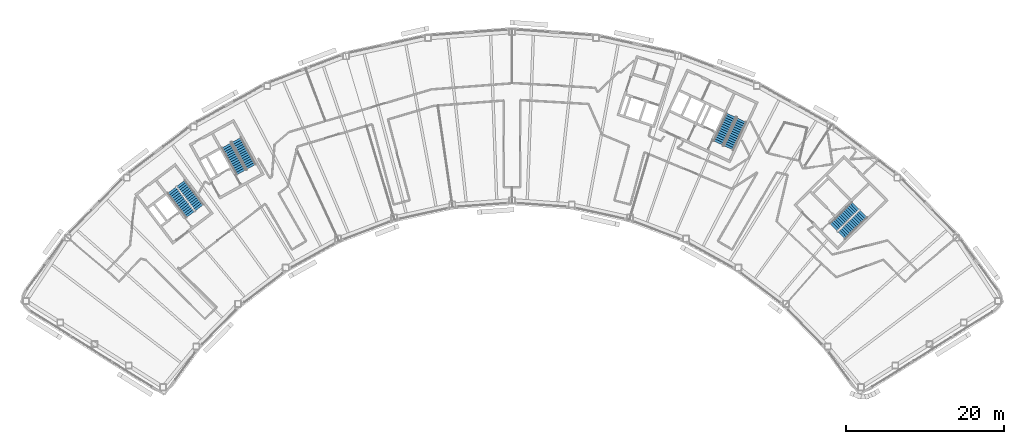
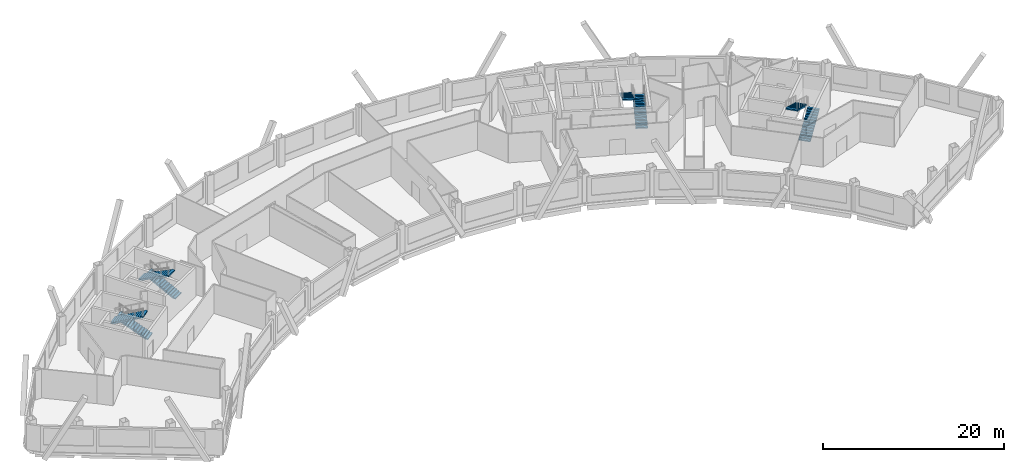
# One storey, part 11 of 13: 8 stair flights, 4 elements without a shape of their own.
"""IFC4 building model written with IfcOpenShell, lengths in metres."""

from ifc_helpers import new_model, si_unit, direction, frame, origin, place, context, subcontext, project, spatial, polyline, outline, extrude, material, type_object, element, aggregate, save


model = new_model("IFC4")

# Units and contexts
model_context = context("Model", 3, precision=1e-05, world=origin(), true_north=direction((0.0, 1.0)))
body_context = subcontext(model_context, "Body", "Model", "MODEL_VIEW")
ifc_project = project(units=[si_unit("LENGTHUNIT", "METRE"), si_unit("AREAUNIT", "SQUARE_METRE"), si_unit("VOLUMEUNIT", "CUBIC_METRE"), si_unit("PLANEANGLEUNIT", "RADIAN"), si_unit("MASSUNIT", "GRAM", prefix="KILO")], contexts=[model_context])

# Site, building, storey
site_placement = place(None, origin())
site = spatial("IfcSite", under=ifc_project, at=site_placement, CompositionType="ELEMENT")
building_placement = place(site_placement, origin())
building = spatial("IfcBuilding", under=site, at=building_placement, Name="Tuul Gate Civic Tower", CompositionType="ELEMENT")
storey_placement = place(building_placement, frame((0.0, 0.0, 302.60009765625)))
storey = spatial("IfcBuildingStorey", under=building, at=storey_placement, Name="Level 68", CompositionType="ELEMENT", Elevation=302.60009765625)

# Stair, stair flights
ifc_material_1 = material(Name="Concrete C40/50", Category="concrete")
stair_type = type_object("IfcStairType", Name="Exit stair", PredefinedType="HALF_TURN_STAIR", material=ifc_material_1)
stair_1_placement = place(storey_placement, origin())
stair_1 = element("IfcStair", 1, at=stair_1_placement, inside=storey, type_object=stair_type, Name="Level 68 ST-1", PredefinedType="HALF_TURN_STAIR")
ifc_material_2 = material(Name="Concrete C40/50", Category="concrete")
stair_flight_type = type_object("IfcStairFlightType", Name="Exit stair flight", PredefinedType="STRAIGHT", material=ifc_material_2)
stair_flight_1_placement = place(storey_placement, frame((-32.875244140625, -13.066650390625, 0.0), z_axis=(0.0, 0.0, 1.0), x_axis=(-0.605764474941, 0.795644016442, 0.0)))
stair_flight_1 = element("IfcStairFlight", 2, at=stair_flight_1_placement, type_object=stair_flight_type, Name="ST-1 flight 1", NumberOfRisers=14, NumberOfTreads=13, PredefinedType="STRAIGHT", RiserHeight=0.15, TreadLength=0.3, context=body_context, shape_type="SweptSolid", body=[
    extrude(outline(polyline([(0.0, 0.0), (0.0, 0.14990234375), (0.300048828125, 0.14990234375), (0.300048828125, 0.300048828125), (0.60009765625, 0.300048828125), (0.60009765625, 0.449951171875), (0.89990234375, 0.449951171875), (0.89990234375, 0.60009765625), (1.199951171875, 0.60009765625), (1.199951171875, 0.75), (1.5, 0.75), (1.5, 0.89990234375), (1.800048828125, 0.89990234375), (1.800048828125, 1.050048828125), (2.10009765625, 1.050048828125), (2.10009765625, 1.199951171875), (2.39990234375, 1.199951171875), (2.39990234375, 1.35009765625), (2.699951171875, 1.35009765625), (2.699951171875, 1.5), (3.0, 1.5), (3.0, 1.64990234375), (3.300048828125, 1.64990234375), (3.300048828125, 1.800048828125), (3.60009765625, 1.800048828125), (3.60009765625, 1.949951171875), (3.89990234375, 1.949951171875), (3.89990234375, 2.10009765625), (3.89990234375, 1.782470703125), (0.335205078125, 0.0), (0.0, 0.0)])), frame((0.0, 0.675048828125, 0.0), z_axis=(0.0, -1.0, 0.0), x_axis=(1.0, 0.0, 0.0)), (0.0, 0.0, 1.0), 1.35009765625),
])
stair_flight_2_placement = place(storey_placement, frame((-36.391357421875, -10.842041015625, 2.099853515625), z_axis=(0.0, 0.0, 1.0), x_axis=(0.605764474941, -0.795644016442, 0.0)))
stair_flight_2 = element("IfcStairFlight", 3, at=stair_flight_2_placement, type_object=stair_flight_type, Name="ST-1 flight 2", NumberOfRisers=14, NumberOfTreads=13, PredefinedType="STRAIGHT", RiserHeight=0.15, TreadLength=0.3, context=body_context, shape_type="SweptSolid", body=[
    extrude(outline(polyline([(0.0, 0.0), (0.0, 0.14990234375), (0.300048828125, 0.14990234375), (0.300048828125, 0.300048828125), (0.60009765625, 0.300048828125), (0.60009765625, 0.449951171875), (0.89990234375, 0.449951171875), (0.89990234375, 0.60009765625), (1.199951171875, 0.60009765625), (1.199951171875, 0.75), (1.5, 0.75), (1.5, 0.89990234375), (1.800048828125, 0.89990234375), (1.800048828125, 1.050048828125), (2.10009765625, 1.050048828125), (2.10009765625, 1.199951171875), (2.39990234375, 1.199951171875), (2.39990234375, 1.35009765625), (2.699951171875, 1.35009765625), (2.699951171875, 1.5), (3.0, 1.5), (3.0, 1.64990234375), (3.300048828125, 1.64990234375), (3.300048828125, 1.800048828125), (3.60009765625, 1.800048828125), (3.60009765625, 1.949951171875), (3.89990234375, 1.949951171875), (3.89990234375, 2.10009765625), (3.89990234375, 1.782470703125), (0.335205078125, 0.0), (0.0, 0.0)])), frame((0.0, 0.675048828125, 0.0), z_axis=(0.0, -1.0, 0.0), x_axis=(1.0, 0.0, 0.0)), (0.0, 0.0, 1.0), 1.35009765625),
])
aggregate(stair_1, [stair_flight_1, stair_flight_2])

stair_2_placement = place(storey_placement, origin())
stair_2 = element("IfcStair", 4, at=stair_2_placement, inside=storey, type_object=stair_type, Name="Level 68 ST-2", PredefinedType="HALF_TURN_STAIR")
stair_flight_3_placement = place(storey_placement, frame((-26.29150390625, -7.87646484375, 0.0), z_axis=(0.0, 0.0, 1.0), x_axis=(-0.484761763766, 0.874646232708, 0.0)))
stair_flight_3 = element("IfcStairFlight", 5, at=stair_flight_3_placement, type_object=stair_flight_type, Name="ST-2 flight 1", NumberOfRisers=14, NumberOfTreads=13, PredefinedType="STRAIGHT", RiserHeight=0.15, TreadLength=0.3, context=body_context, shape_type="SweptSolid", body=[
    extrude(outline(polyline([(0.0, 0.0), (0.0, 0.14990234375), (0.300048828125, 0.14990234375), (0.300048828125, 0.300048828125), (0.60009765625, 0.300048828125), (0.60009765625, 0.449951171875), (0.89990234375, 0.449951171875), (0.89990234375, 0.60009765625), (1.199951171875, 0.60009765625), (1.199951171875, 0.75), (1.5, 0.75), (1.5, 0.89990234375), (1.800048828125, 0.89990234375), (1.800048828125, 1.050048828125), (2.10009765625, 1.050048828125), (2.10009765625, 1.199951171875), (2.39990234375, 1.199951171875), (2.39990234375, 1.35009765625), (2.699951171875, 1.35009765625), (2.699951171875, 1.5), (3.0, 1.5), (3.0, 1.64990234375), (3.300048828125, 1.64990234375), (3.300048828125, 1.800048828125), (3.60009765625, 1.800048828125), (3.60009765625, 1.949951171875), (3.89990234375, 1.949951171875), (3.89990234375, 2.10009765625), (3.89990234375, 1.782470703125), (0.335205078125, 0.0), (0.0, 0.0)])), frame((0.0, 0.675048828125, 0.0), z_axis=(0.0, -1.0, 0.0), x_axis=(1.0, 0.0, 0.0)), (0.0, 0.0, 1.0), 1.35009765625),
])
stair_flight_4_placement = place(storey_placement, frame((-29.450439453125, -5.168212890625, 2.099853515625), z_axis=(0.0, 0.0, 1.0), x_axis=(0.484761763766, -0.874646232708, 0.0)))
stair_flight_4 = element("IfcStairFlight", 6, at=stair_flight_4_placement, type_object=stair_flight_type, Name="ST-2 flight 2", NumberOfRisers=14, NumberOfTreads=13, PredefinedType="STRAIGHT", RiserHeight=0.15, TreadLength=0.3, context=body_context, shape_type="SweptSolid", body=[
    extrude(outline(polyline([(0.0, 0.0), (0.0, 0.14990234375), (0.300048828125, 0.14990234375), (0.300048828125, 0.300048828125), (0.60009765625, 0.300048828125), (0.60009765625, 0.449951171875), (0.89990234375, 0.449951171875), (0.89990234375, 0.60009765625), (1.199951171875, 0.60009765625), (1.199951171875, 0.75), (1.5, 0.75), (1.5, 0.89990234375), (1.800048828125, 0.89990234375), (1.800048828125, 1.050048828125), (2.10009765625, 1.050048828125), (2.10009765625, 1.199951171875), (2.39990234375, 1.199951171875), (2.39990234375, 1.35009765625), (2.699951171875, 1.35009765625), (2.699951171875, 1.5), (3.0, 1.5), (3.0, 1.64990234375), (3.300048828125, 1.64990234375), (3.300048828125, 1.800048828125), (3.60009765625, 1.800048828125), (3.60009765625, 1.949951171875), (3.89990234375, 1.949951171875), (3.89990234375, 2.10009765625), (3.89990234375, 1.782470703125), (0.335205078125, 0.0), (0.0, 0.0)])), frame((0.0, 0.675048828125, 0.0), z_axis=(0.0, -1.0, 0.0), x_axis=(1.0, 0.0, 0.0)), (0.0, 0.0, 1.0), 1.35009765625),
])
aggregate(stair_2, [stair_flight_3, stair_flight_4])

stair_3_placement = place(storey_placement, origin())
stair_3 = element("IfcStair", 7, at=stair_3_placement, inside=storey, type_object=stair_type, Name="Level 68 ST-3", PredefinedType="HALF_TURN_STAIR")
stair_flight_5_placement = place(storey_placement, frame((48.61376953125, -16.581787109375, 0.0), z_axis=(0.0, 0.0, 1.0), x_axis=(0.714127290059, 0.700015866672, 0.0)))
stair_flight_5 = element("IfcStairFlight", 8, at=stair_flight_5_placement, type_object=stair_flight_type, Name="ST-3 flight 1", NumberOfRisers=14, NumberOfTreads=13, PredefinedType="STRAIGHT", RiserHeight=0.15, TreadLength=0.3, context=body_context, shape_type="SweptSolid", body=[
    extrude(outline(polyline([(0.0, 0.0), (0.0, 0.14990234375), (0.300048828125, 0.14990234375), (0.300048828125, 0.300048828125), (0.60009765625, 0.300048828125), (0.60009765625, 0.449951171875), (0.89990234375, 0.449951171875), (0.89990234375, 0.60009765625), (1.199951171875, 0.60009765625), (1.199951171875, 0.75), (1.5, 0.75), (1.5, 0.89990234375), (1.800048828125, 0.89990234375), (1.800048828125, 1.050048828125), (2.10009765625, 1.050048828125), (2.10009765625, 1.199951171875), (2.39990234375, 1.199951171875), (2.39990234375, 1.35009765625), (2.699951171875, 1.35009765625), (2.699951171875, 1.5), (3.0, 1.5), (3.0, 1.64990234375), (3.300048828125, 1.64990234375), (3.300048828125, 1.800048828125), (3.60009765625, 1.800048828125), (3.60009765625, 1.949951171875), (3.89990234375, 1.949951171875), (3.89990234375, 2.10009765625), (3.89990234375, 1.782470703125), (0.335205078125, 0.0), (0.0, 0.0)])), frame((0.0, 0.675048828125, 0.0), z_axis=(0.0, -1.0, 0.0), x_axis=(1.0, 0.0, 0.0)), (0.0, 0.0, 1.0), 1.35009765625),
])
stair_flight_6_placement = place(storey_placement, frame((50.3837890625, -12.816162109375, 2.099853515625), z_axis=(0.0, 0.0, 1.0), x_axis=(-0.714127290059, -0.700015866672, 0.0)))
stair_flight_6 = element("IfcStairFlight", 9, at=stair_flight_6_placement, type_object=stair_flight_type, Name="ST-3 flight 2", NumberOfRisers=14, NumberOfTreads=13, PredefinedType="STRAIGHT", RiserHeight=0.15, TreadLength=0.3, context=body_context, shape_type="SweptSolid", body=[
    extrude(outline(polyline([(0.0, 0.0), (0.0, 0.14990234375), (0.300048828125, 0.14990234375), (0.300048828125, 0.300048828125), (0.60009765625, 0.300048828125), (0.60009765625, 0.449951171875), (0.89990234375, 0.449951171875), (0.89990234375, 0.60009765625), (1.199951171875, 0.60009765625), (1.199951171875, 0.75), (1.5, 0.75), (1.5, 0.89990234375), (1.800048828125, 0.89990234375), (1.800048828125, 1.050048828125), (2.10009765625, 1.050048828125), (2.10009765625, 1.199951171875), (2.39990234375, 1.199951171875), (2.39990234375, 1.35009765625), (2.699951171875, 1.35009765625), (2.699951171875, 1.5), (3.0, 1.5), (3.0, 1.64990234375), (3.300048828125, 1.64990234375), (3.300048828125, 1.800048828125), (3.60009765625, 1.800048828125), (3.60009765625, 1.949951171875), (3.89990234375, 1.949951171875), (3.89990234375, 2.10009765625), (3.89990234375, 1.782470703125), (0.335205078125, 0.0), (0.0, 0.0)])), frame((0.0, 0.675048828125, 0.0), z_axis=(0.0, -1.0, 0.0), x_axis=(1.0, 0.0, 0.0)), (0.0, 0.0, 1.0), 1.35009765625),
])
aggregate(stair_3, [stair_flight_5, stair_flight_6])

stair_4_placement = place(storey_placement, origin())
stair_4 = element("IfcStair", 10, at=stair_4_placement, inside=storey, type_object=stair_type, Name="Level 68 ST-4", PredefinedType="HALF_TURN_STAIR")
stair_flight_7_placement = place(storey_placement, frame((34.278564453125, -5.478515625, 0.0), z_axis=(0.0, 0.0, 1.0), x_axis=(0.422576295988, 0.906327354806, 0.0)))
stair_flight_7 = element("IfcStairFlight", 11, at=stair_flight_7_placement, type_object=stair_flight_type, Name="ST-4 flight 1", NumberOfRisers=14, NumberOfTreads=13, PredefinedType="STRAIGHT", RiserHeight=0.15, TreadLength=0.3, context=body_context, shape_type="SweptSolid", body=[
    extrude(outline(polyline([(0.0, 0.0), (0.0, 0.14990234375), (0.300048828125, 0.14990234375), (0.300048828125, 0.300048828125), (0.60009765625, 0.300048828125), (0.60009765625, 0.449951171875), (0.89990234375, 0.449951171875), (0.89990234375, 0.60009765625), (1.199951171875, 0.60009765625), (1.199951171875, 0.75), (1.5, 0.75), (1.5, 0.89990234375), (1.800048828125, 0.89990234375), (1.800048828125, 1.050048828125), (2.10009765625, 1.050048828125), (2.10009765625, 1.199951171875), (2.39990234375, 1.199951171875), (2.39990234375, 1.35009765625), (2.699951171875, 1.35009765625), (2.699951171875, 1.5), (3.0, 1.5), (3.0, 1.64990234375), (3.300048828125, 1.64990234375), (3.300048828125, 1.800048828125), (3.60009765625, 1.800048828125), (3.60009765625, 1.949951171875), (3.89990234375, 1.949951171875), (3.89990234375, 2.10009765625), (3.89990234375, 1.782470703125), (0.335205078125, 0.0), (0.0, 0.0)])), frame((0.0, 0.675048828125, 0.0), z_axis=(0.0, -1.0, 0.0), x_axis=(1.0, 0.0, 0.0)), (0.0, 0.0, 1.0), 1.35009765625),
])
stair_flight_8_placement = place(storey_placement, frame((34.612548828125, -1.3310546875, 2.099853515625), z_axis=(0.0, 0.0, 1.0), x_axis=(-0.422576295988, -0.906327354806, 0.0)))
stair_flight_8 = element("IfcStairFlight", 12, at=stair_flight_8_placement, type_object=stair_flight_type, Name="ST-4 flight 2", NumberOfRisers=14, NumberOfTreads=13, PredefinedType="STRAIGHT", RiserHeight=0.15, TreadLength=0.3, context=body_context, shape_type="SweptSolid", body=[
    extrude(outline(polyline([(0.0, 0.0), (0.0, 0.14990234375), (0.300048828125, 0.14990234375), (0.300048828125, 0.300048828125), (0.60009765625, 0.300048828125), (0.60009765625, 0.449951171875), (0.89990234375, 0.449951171875), (0.89990234375, 0.60009765625), (1.199951171875, 0.60009765625), (1.199951171875, 0.75), (1.5, 0.75), (1.5, 0.89990234375), (1.800048828125, 0.89990234375), (1.800048828125, 1.050048828125), (2.10009765625, 1.050048828125), (2.10009765625, 1.199951171875), (2.39990234375, 1.199951171875), (2.39990234375, 1.35009765625), (2.699951171875, 1.35009765625), (2.699951171875, 1.5), (3.0, 1.5), (3.0, 1.64990234375), (3.300048828125, 1.64990234375), (3.300048828125, 1.800048828125), (3.60009765625, 1.800048828125), (3.60009765625, 1.949951171875), (3.89990234375, 1.949951171875), (3.89990234375, 2.10009765625), (3.89990234375, 1.782470703125), (0.335205078125, 0.0), (0.0, 0.0)])), frame((0.0, 0.675048828125, 0.0), z_axis=(0.0, -1.0, 0.0), x_axis=(1.0, 0.0, 0.0)), (0.0, 0.0, 1.0), 1.35009765625),
])
aggregate(stair_4, [stair_flight_7, stair_flight_8])

save(model, "model.ifc")
